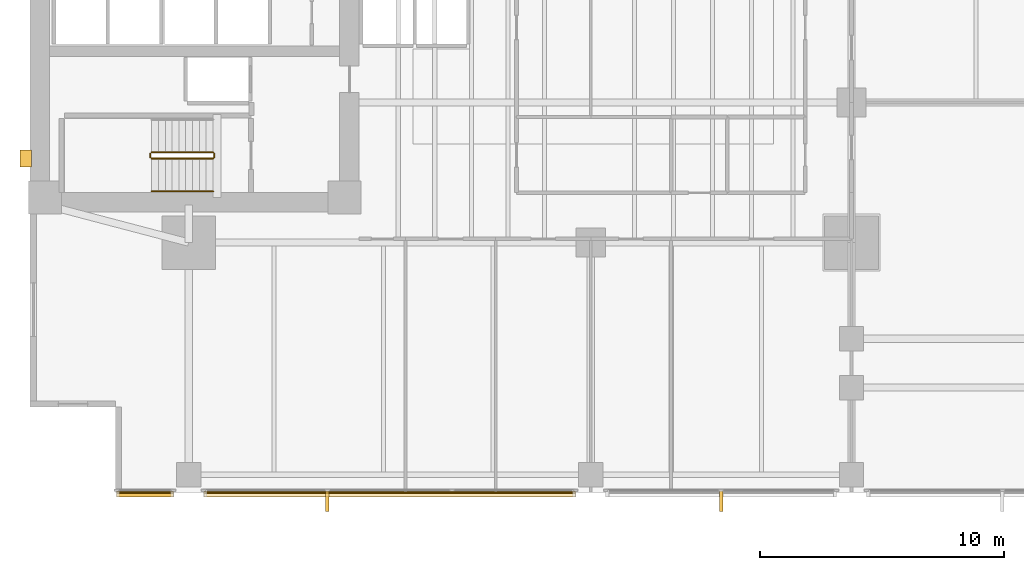
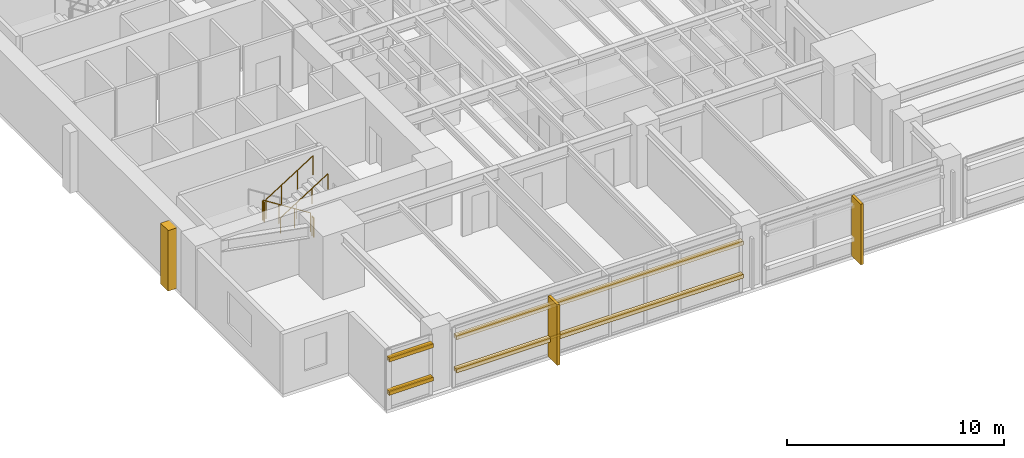
# One storey, part 12 of 15: 7 coverings, 5 railings, 4 shading devices.
"""IFC4 building model written with IfcOpenShell, lengths in metres."""

from ifc_helpers import new_model, si_unit, direction, frame, origin, origin_2d, place, context, subcontext, project, spatial, polyline, rectangle, circle, outline, extrude, material, layer, layer_set, material_profile, profile_set, type_object, element, save


model = new_model("IFC4")

# Units and contexts
model_context = context("Model", 3, precision=1e-05, world=origin(), true_north=direction((0.0, 1.0)))
body_context = subcontext(model_context, "Body", "Model", "MODEL_VIEW")
ifc_project = project(units=[si_unit("LENGTHUNIT", "METRE"), si_unit("AREAUNIT", "SQUARE_METRE"), si_unit("VOLUMEUNIT", "CUBIC_METRE"), si_unit("PLANEANGLEUNIT", "RADIAN"), si_unit("MASSUNIT", "GRAM", prefix="KILO")], contexts=[model_context])

# Site, building, storey
site_placement = place(None, origin())
site = spatial("IfcSite", under=ifc_project, at=site_placement, CompositionType="ELEMENT")
building_placement = place(site_placement, origin())
building = spatial("IfcBuilding", under=site, at=building_placement, Name="Kinhvarn Gate Tower", CompositionType="ELEMENT")
storey_placement = place(building_placement, frame((0.0, 0.0, 78.85009765625)))
storey = spatial("IfcBuildingStorey", under=building, at=storey_placement, Name="L20", CompositionType="ELEMENT", Elevation=78.85009765625)

# Coverings
ifc_material_1 = material(Name="Fired architectural terracotta", Category="masonry")
ifc_layer_1 = layer(ifc_material_1, 0.239990234375)
ifc_layer_set_1 = layer_set([ifc_layer_1], Name="Fired architectural terracotta")
covering_type_1 = type_object("IfcCoveringType", Name="COV-BAG-220", PredefinedType="CLADDING", material=ifc_layer_set_1)
for number, where, name in (
    (1, (0.0, 0.0, 0.93994140625), "Terracotta Horizontal Sunscreen Band TBG-220 (L20)"),
    (2, (0.0, 0.0, 2.809814453125), "Terracotta Horizontal Sunscreen Band TBG-220 (L20)"),
):
    element("IfcCovering", number, at=place(storey_placement, frame(where)), inside=storey, type_object=covering_type_1, Name=name, PredefinedType="CLADDING", context=body_context, shape_type="SweptSolid", body=[
        extrude(outline(polyline([(8.0400390625, 2.56005859375), (10.3798828125, 2.56005859375), (10.3798828125, 2.320068359375), (8.0400390625, 2.320068359375), (8.0400390625, 2.56005859375)])), origin(), (0.0, 0.0, 1.0), 0.219970703125),
    ])
for number, where, name in (
    (3, (0.0, 0.0, 0.93994140625), "Terracotta Horizontal Sunscreen Band TBG-220 (L20)"),
    (4, (0.0, 0.0, 2.809814453125), "Terracotta Horizontal Sunscreen Band TBG-220 (L20)"),
):
    element("IfcCovering", number, at=place(storey_placement, frame(where)), inside=storey, type_object=covering_type_1, Name=name, PredefinedType="CLADDING", context=body_context, shape_type="SweptSolid", body=[
        extrude(outline(polyline([(11.6201171875, 2.56005859375), (26.8798828125, 2.56005859375), (26.8798828125, 2.320068359375), (11.6201171875, 2.320068359375), (11.6201171875, 2.56005859375)])), origin(), (0.0, 0.0, 1.0), 0.219970703125),
    ])
ifc_layer_2 = layer(ifc_material_1, 0.139892578125)
ifc_layer_set_2 = layer_set([ifc_layer_2], Name="Fired architectural terracotta")
covering_type_2 = type_object("IfcCoveringType", Name="COV-FIN-850", PredefinedType="CLADDING", material=ifc_layer_set_2)
covering_1_placement = place(storey_placement, frame((0.0, 0.0, -0.02001953125)))
element("IfcCovering", 5, at=covering_1_placement, inside=storey, type_object=covering_type_2, Name="Vertical Terracotta Expressive Fin TFN-850 (L20)", PredefinedType="CLADDING", context=body_context, shape_type="SweptSolid", body=[
    extrude(outline(polyline([(16.623291015625, 2.570068359375), (16.76318359375, 2.570068359375), (16.76318359375, 1.719970703125), (16.623291015625, 1.719970703125), (16.623291015625, 2.570068359375)])), origin(), (0.0, 0.0, 1.0), 3.409912109375),
])
covering_2_placement = place(storey_placement, frame((0.0, 0.0, -0.02001953125)))
element("IfcCovering", 6, at=covering_2_placement, inside=storey, type_object=covering_type_2, Name="Vertical Terracotta Expressive Fin TFN-850 (L20)", PredefinedType="CLADDING", context=body_context, shape_type="SweptSolid", body=[
    extrude(outline(polyline([(32.780029296875, 2.570068359375), (32.919921875, 2.570068359375), (32.919921875, 1.719970703125), (32.780029296875, 1.719970703125), (32.780029296875, 2.570068359375)])), origin(), (0.0, 0.0, 1.0), 3.409912109375),
])
ifc_material_2 = material(Name="Precast white architectural concrete C40/50", Category="concrete")
ifc_layer_3 = layer(ifc_material_2, 0.47998046875)
ifc_layer_set_3 = layer_set([ifc_layer_3], Name="Precast white architectural concrete C40/50")
covering_type_3 = type_object("IfcCoveringType", Name="COV-RIB-450", PredefinedType="CLADDING", material=ifc_layer_set_3)
covering_3_placement = place(storey_placement, frame((0.0, 0.0, -0.02001953125)))
element("IfcCovering", 7, at=covering_3_placement, inside=storey, type_object=covering_type_3, Name="West Core Sculptural Concrete Relief Rib CRB-450 (L20)", PredefinedType="CLADDING", context=body_context, shape_type="SweptSolid", body=[
    extrude(outline(polyline([(4.080078125, 15.85009765625), (4.56005859375, 15.85009765625), (4.56005859375, 16.550048828125), (4.080078125, 16.550048828125), (4.080078125, 15.85009765625)])), origin(), (0.0, 0.0, 1.0), 3.409912109375),
])

# Railings
ifc_material_3 = material(Name="Steel S355", Category="steel")
railing_type_1 = type_object("IfcRailingType", Name="RL-ST-GRD", PredefinedType="BALUSTRADE", material=ifc_material_3)
railing_1_placement = place(storey_placement, frame((12.0, 16.449951171875, 0.177490234375)))
element("IfcRailing", 8, at=railing_1_placement, inside=storey, type_object=railing_type_1, Name="L20 ST1 stair guard 1", PredefinedType="BALUSTRADE", context=body_context, shape_type="SweptSolid", body=[
    extrude(circle(Radius=0.02392578125, at=origin_2d()), frame((0.0, 0.0, 1.076171875), z_axis=(-0.84460694969, 0.0, 0.535386869969), x_axis=(0.0, -1.0, 0.0)), (0.0, 0.0, 1.0), 2.983642578125),
    extrude(circle(Radius=0.02099609375, at=origin_2d()), origin(), (0.0, 0.0, 1.0), 1.052001953125),
    extrude(circle(Radius=0.02099609375, at=origin_2d()), frame((-0.840087890625, 0.0, 0.532470703125)), (0.0, 0.0, 1.0), 1.052001953125),
    extrude(circle(Radius=0.02099609375, at=origin_2d()), frame((-1.679931640625, 0.0, 1.06494140625)), (0.0, 0.0, 1.0), 1.052001953125),
    extrude(circle(Radius=0.02099609375, at=origin_2d()), frame((-2.52001953125, 0.0, 1.597412109375)), (0.0, 0.0, 1.0), 1.052001953125),
])
railing_2_placement = place(storey_placement, frame((9.429931640625, 16.39990234375, 1.77490234375)))
element("IfcRailing", 9, at=railing_2_placement, inside=storey, type_object=railing_type_1, Name="L20 ST1 stair guard 2", PredefinedType="BALUSTRADE", context=body_context, shape_type="SweptSolid", body=[
    extrude(circle(Radius=0.02392578125, at=origin_2d()), frame((0.0, 0.0, 1.076171875), z_axis=(0.0, -1.0, 0.0), x_axis=(1.0, 0.0, 0.0)), (0.0, 0.0, 1.0), 0.14990234375),
    extrude(circle(Radius=0.02099609375, at=origin_2d()), origin(), (0.0, 0.0, 1.0), 1.052001953125),
    extrude(circle(Radius=0.02099609375, at=origin_2d()), frame((0.0, -0.14990234375, 0.0)), (0.0, 0.0, 1.0), 1.052001953125),
])
railing_3_placement = place(storey_placement, frame((9.47998046875, 16.199951171875, 1.952392578125)))
element("IfcRailing", 10, at=railing_3_placement, inside=storey, type_object=railing_type_1, Name="L20 ST1 stair guard 3", PredefinedType="BALUSTRADE", context=body_context, shape_type="SweptSolid", body=[
    extrude(circle(Radius=0.02392578125, at=origin_2d()), frame((0.0, 0.0, 1.076171875), z_axis=(0.84460694969, 0.0, 0.535386869969), x_axis=(0.0, 1.0, 0.0)), (0.0, 0.0, 1.0), 2.983642578125),
    extrude(circle(Radius=0.02099609375, at=origin_2d()), origin(), (0.0, 0.0, 1.0), 1.052001953125),
    extrude(circle(Radius=0.02099609375, at=origin_2d()), frame((0.840087890625, 0.0, 0.532470703125)), (0.0, 0.0, 1.0), 1.052001953125),
    extrude(circle(Radius=0.02099609375, at=origin_2d()), frame((1.679931640625, 0.0, 1.06494140625)), (0.0, 0.0, 1.0), 1.052001953125),
    extrude(circle(Radius=0.02099609375, at=origin_2d()), frame((2.52001953125, 0.0, 1.597412109375)), (0.0, 0.0, 1.0), 1.052001953125),
])
railing_4_placement = place(storey_placement, frame((12.050048828125, 16.39990234375, 0.0)))
element("IfcRailing", 11, at=railing_4_placement, inside=storey, type_object=railing_type_1, Name="L20 ST1 stair guard 4", PredefinedType="BALUSTRADE", context=body_context, shape_type="SweptSolid", body=[
    extrude(circle(Radius=0.02392578125, at=origin_2d()), frame((0.0, 0.0, 1.076171875), z_axis=(0.0, -1.0, 0.0), x_axis=(1.0, 0.0, 0.0)), (0.0, 0.0, 1.0), 0.14990234375),
    extrude(circle(Radius=0.02099609375, at=origin_2d()), origin(), (0.0, 0.0, 1.0), 1.052001953125),
    extrude(circle(Radius=0.02099609375, at=origin_2d()), frame((0.0, -0.14990234375, 0.0)), (0.0, 0.0, 1.0), 1.052001953125),
])
railing_type_2 = type_object("IfcRailingType", Name="RL-ST-HND", PredefinedType="HANDRAIL", material=ifc_material_3)
railing_5_placement = place(storey_placement, frame((9.47998046875, 14.85009765625, 1.952392578125)))
element("IfcRailing", 12, at=railing_5_placement, inside=storey, type_object=railing_type_2, Name="L20 ST1 stair handrail 2", PredefinedType="HANDRAIL", context=body_context, shape_type="SweptSolid", body=[
    extrude(circle(Radius=0.02392578125, at=origin_2d()), frame((0.0, 0.0, 0.8759765625), z_axis=(0.84460694969, 0.0, 0.535386869969), x_axis=(0.0, 1.0, 0.0)), (0.0, 0.0, 1.0), 2.983642578125),
    extrude(circle(Radius=0.02099609375, at=origin_2d()), origin(), (0.0, 0.0, 1.0), 0.851806640625),
    extrude(circle(Radius=0.02099609375, at=origin_2d()), frame((0.840087890625, 0.0, 0.532470703125)), (0.0, 0.0, 1.0), 0.851806640625),
    extrude(circle(Radius=0.02099609375, at=origin_2d()), frame((1.679931640625, 0.0, 1.06494140625)), (0.0, 0.0, 1.0), 0.851806640625),
    extrude(circle(Radius=0.02099609375, at=origin_2d()), frame((2.52001953125, 0.0, 1.597412109375)), (0.0, 0.0, 1.0), 0.851806640625),
])

# Shading devices
ifc_material_profile = material_profile(ifc_material_1, rectangle(XDim=0.06005859375, YDim=0.139892578125, at=origin_2d()), Name="TC 60x140")
ifc_profile_set = profile_set([ifc_material_profile], Name="Fired architectural terracotta")
shading_device_type = type_object("IfcShadingDeviceType", Name="SHD-BAG-180", PredefinedType="USERDEFINED", material=ifc_profile_set)
for number, where, z_axis, x_axis, name in (
    (13, (8.0400390625, 2.485107421875, 1.0498046875), (1.0, 0.0, 0.0), (0.0, 1.0, 0.0), "Fired Terracotta Baguette Screen Rod 60x140 mm (L20)"),
    (14, (8.0400390625, 2.485107421875, 2.919921875), (1.0, 0.0, 0.0), (0.0, 1.0, 0.0), "Fired Terracotta Baguette Screen Rod 60x140 mm (L20)"),
):
    element("IfcShadingDevice", number, at=place(storey_placement, frame(where, z_axis=z_axis, x_axis=x_axis)), inside=storey, type_object=shading_device_type, Name=name, ObjectType="BAGUETTE", PredefinedType="USERDEFINED", context=body_context, shape_type="SweptSolid", body=[
        extrude(rectangle(XDim=0.06005859375, YDim=0.139892578125, at=origin_2d()), origin(), (0.0, 0.0, 1.0), 2.33984375),
    ])
for number, where, z_axis, x_axis, name in (
    (15, (11.6201171875, 2.485107421875, 1.0498046875), (1.0, 0.0, 0.0), (0.0, 1.0, 0.0), "Fired Terracotta Baguette Screen Rod 60x140 mm (L20)"),
    (16, (11.6201171875, 2.485107421875, 2.919921875), (1.0, 0.0, 0.0), (0.0, 1.0, 0.0), "Fired Terracotta Baguette Screen Rod 60x140 mm (L20)"),
):
    element("IfcShadingDevice", number, at=place(storey_placement, frame(where, z_axis=z_axis, x_axis=x_axis)), inside=storey, type_object=shading_device_type, Name=name, ObjectType="BAGUETTE", PredefinedType="USERDEFINED", context=body_context, shape_type="SweptSolid", body=[
        extrude(rectangle(XDim=0.06005859375, YDim=0.139892578125, at=origin_2d()), origin(), (0.0, 0.0, 1.0), 15.259765625),
    ])

save(model, "model.ifc")
